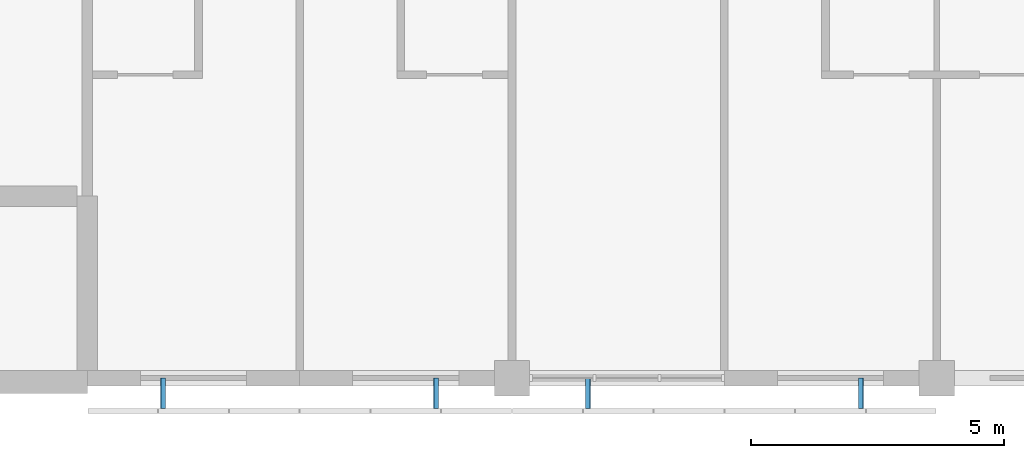
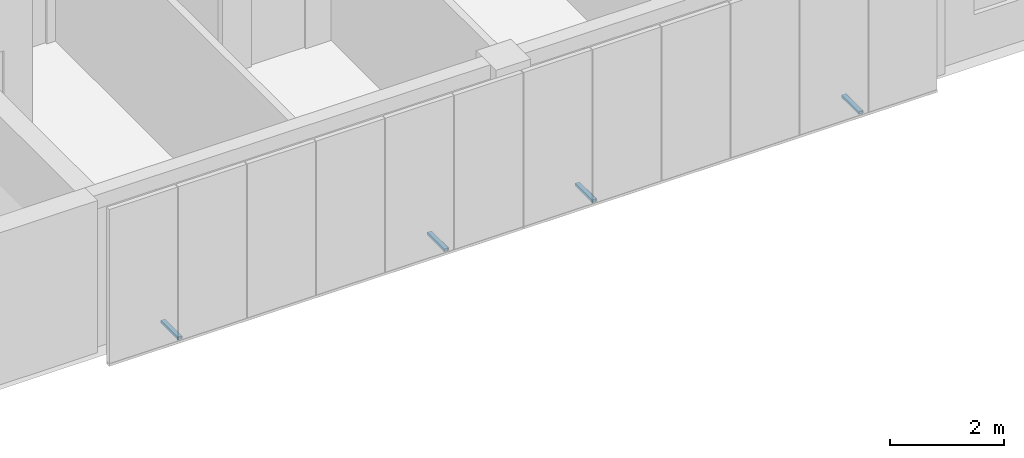
# One storey, part 40 of 45: 4 discrete accessories.
"""IFC4 building model written with IfcOpenShell, lengths in metres."""

from ifc_helpers import new_model, si_unit, direction, frame, origin, origin_2d, place, context, subcontext, project, spatial, hollow_rectangle, extrude, material, material_profile, profile_set, type_object, element, save


model = new_model("IFC4")

# Units and contexts
model_context = context("Model", 3, precision=1e-05, world=origin(), true_north=direction((0.0, 1.0)))
body_context = subcontext(model_context, "Body", "Model", "MODEL_VIEW")
ifc_project = project(units=[si_unit("LENGTHUNIT", "METRE"), si_unit("AREAUNIT", "SQUARE_METRE"), si_unit("VOLUMEUNIT", "CUBIC_METRE"), si_unit("PLANEANGLEUNIT", "RADIAN"), si_unit("MASSUNIT", "GRAM", prefix="KILO")], contexts=[model_context])

# Site, building, storey
site_placement = place(None, origin())
site = spatial("IfcSite", under=ifc_project, at=site_placement, CompositionType="ELEMENT")
building_placement = place(site_placement, origin())
building = spatial("IfcBuilding", under=site, at=building_placement, Name="Yavir Park General Hospital", CompositionType="ELEMENT")
storey_placement = place(building_placement, frame((0.0, 0.0, 22.5)))
storey = spatial("IfcBuildingStorey", under=building, at=storey_placement, Name="L05", CompositionType="ELEMENT", Elevation=22.5)

# Discrete accessories
ifc_material = material(Name="Steel S355", Category="steel")
ifc_material_profile = material_profile(ifc_material, hollow_rectangle(XDim=0.10009765625, YDim=0.06005859375, WallThickness=0.006103515625, InnerFilletRadius=0.006103515625, OuterFilletRadius=0.011962890625, at=origin_2d()), Name="RHS60x100x6")
ifc_profile_set = profile_set([ifc_material_profile], Name="Steel S355")
discrete_accessory_type = type_object("IfcDiscreteAccessoryType", Name="Screen bracket RHS 60 x 100", PredefinedType="BRACKET", material=ifc_profile_set)
for number, where, z_axis, x_axis, name in (
    (1, (144.300048828125, 0.0, -0.030029296875), (0.0, -1.0, 0.0), (1.0, 0.0, 0.0), "Screen bracket S18.3.1"),
    (2, (149.699951171875, 0.0, -0.030029296875), (0.0, -1.0, 0.0), (1.0, 0.0, 0.0), "Screen bracket S18.3.2"),
    (3, (152.699951171875, 0.0, -0.030029296875), (0.0, -1.0, 0.0), (1.0, 0.0, 0.0), "Screen bracket S19.3.1"),
    (4, (158.10009765625, 0.0, -0.030029296875), (0.0, -1.0, 0.0), (1.0, 0.0, 0.0), "Screen bracket S19.3.2"),
):
    element("IfcDiscreteAccessory", number, at=place(storey_placement, frame(where, z_axis=z_axis, x_axis=x_axis)), inside=storey, type_object=discrete_accessory_type, Name=name, PredefinedType="BRACKET", context=body_context, shape_type="SweptSolid", body=[
        extrude(hollow_rectangle(XDim=0.10009765625, YDim=0.06005859375, WallThickness=0.006103515625, InnerFilletRadius=0.006103515625, OuterFilletRadius=0.011962890625, at=origin_2d()), origin(), (0.0, 0.0, 1.0), 0.60009765625),
    ])

save(model, "model.ifc")
